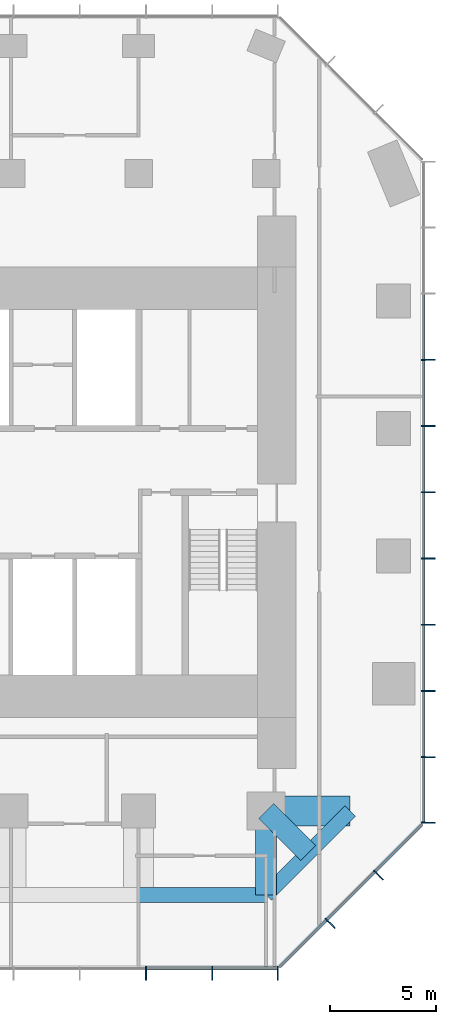
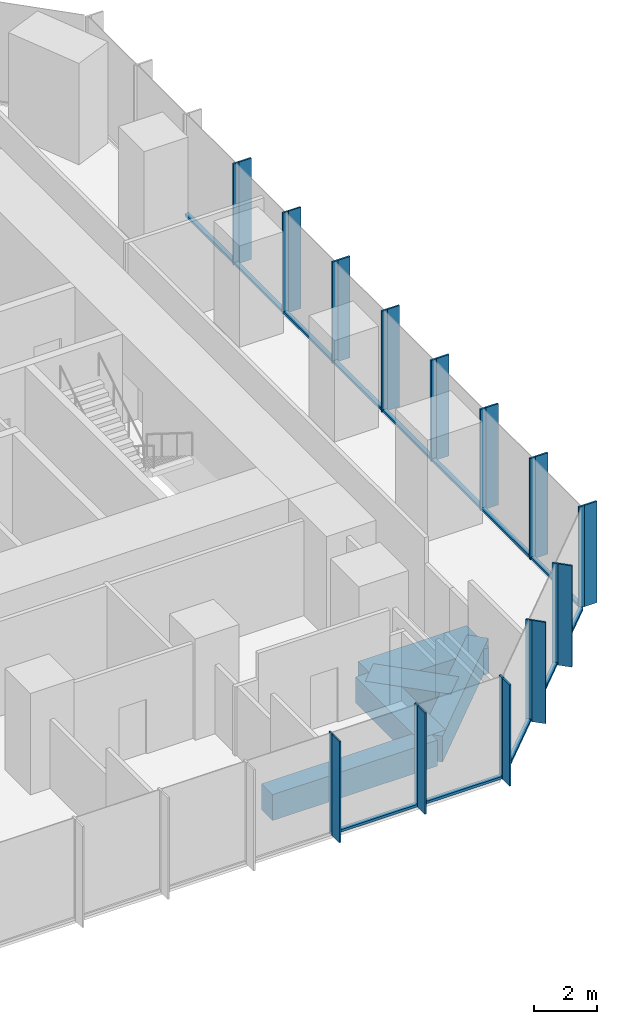
# One storey, part 4 of 12: 39 members, 5 beams, 3 elements without a shape of their own.
"""IFC4 building model written with IfcOpenShell, lengths in metres."""

from ifc_helpers import new_model, si_unit, direction, frame, origin, origin_2d, place, context, subcontext, project, spatial, rectangle, extrude, material, layer, layer_set, material_profile, profile_set, type_object, element, aggregate, save


model = new_model("IFC4")

# Units and contexts
model_context = context("Model", 3, precision=1e-05, world=origin(), true_north=direction((0.0, 1.0)))
body_context = subcontext(model_context, "Body", "Model", "MODEL_VIEW")
ifc_project = project(units=[si_unit("LENGTHUNIT", "METRE"), si_unit("AREAUNIT", "SQUARE_METRE"), si_unit("VOLUMEUNIT", "CUBIC_METRE"), si_unit("PLANEANGLEUNIT", "RADIAN"), si_unit("MASSUNIT", "GRAM", prefix="KILO")], contexts=[model_context])

# Site, building, storey
site_placement = place(None, origin())
site = spatial("IfcSite", under=ifc_project, at=site_placement, CompositionType="ELEMENT")
building_placement = place(site_placement, origin())
building = spatial("IfcBuilding", under=site, at=building_placement, Name="Highveld Stack Headquarters", CompositionType="ELEMENT")
storey_placement = place(building_placement, frame((0.0, 0.0, 231.800048828125)))
storey = spatial("IfcBuildingStorey", under=building, at=storey_placement, Name="L57", CompositionType="ELEMENT", Elevation=231.800048828125)

# Beams
ifc_material_1 = material(Name="Concrete C60/75", Category="concrete")
ifc_material_profile_1 = material_profile(ifc_material_1, rectangle(XDim=1.0, YDim=1.0, at=origin_2d()), Name="RC 1000x1000")
ifc_profile_set_1 = profile_set([ifc_material_profile_1], Name="Concrete C60/75")
beam_type_1 = type_object("IfcBeamType", Name="CANTILEVER RIB RC 1000x1000", PredefinedType="USERDEFINED", material=ifc_profile_set_1)
beam_1_placement = place(storey_placement, frame((18.0, -12.0, -0.75), z_axis=(0.0, -1.0, 0.0), x_axis=(1.0, 0.0, 0.0)))
element("IfcBeam", 1, at=beam_1_placement, inside=storey, type_object=beam_type_1, Name="Cantilever rib 9/C L57", ObjectType="CANTILEVER RIB", PredefinedType="USERDEFINED", context=body_context, shape_type="SweptSolid", body=[
    extrude(rectangle(XDim=1.0, YDim=1.0, at=origin_2d()), origin(), (0.0, 0.0, 1.0), 3.949951171875),
])
beam_2_placement = place(storey_placement, frame((18.0, -12.0, -0.75), z_axis=(0.707106781187, -0.707106781187, 0.0), x_axis=(0.707106781187, 0.707106781187, 0.0)))
element("IfcBeam", 2, at=beam_2_placement, inside=storey, type_object=beam_type_1, Name="Cantilever rib 9/C L57", ObjectType="CANTILEVER RIB", PredefinedType="USERDEFINED", context=body_context, shape_type="SweptSolid", body=[
    extrude(rectangle(XDim=1.0, YDim=1.0, at=origin_2d()), origin(), (0.0, 0.0, 1.0), 2.793212890625),
])
ifc_material_2 = material(Name="Concrete C60/75", Category="concrete")
ifc_material_profile_2 = material_profile(ifc_material_2, rectangle(XDim=1.39990234375, YDim=1.0, at=origin_2d()), Name="RC 1400x1000")
ifc_profile_set_2 = profile_set([ifc_material_profile_2], Name="Concrete C60/75")
beam_type_2 = type_object("IfcBeamType", Name="CANTILEVER RIB RC 1400x1000", PredefinedType="USERDEFINED", material=ifc_profile_set_2)
beam_3_placement = place(storey_placement, frame((18.0, -12.0, -0.75), z_axis=(1.0, 0.0, 0.0), x_axis=(0.0, 1.0, 0.0)))
element("IfcBeam", 3, at=beam_3_placement, inside=storey, type_object=beam_type_2, Name="Cantilever rib 9/C L57", ObjectType="CANTILEVER RIB", PredefinedType="USERDEFINED", context=body_context, shape_type="SweptSolid", body=[
    extrude(rectangle(XDim=1.39990234375, YDim=1.0, at=origin_2d()), origin(), (0.0, 0.0, 1.0), 3.949951171875),
])

# Curtain wall, members
ifc_material_3 = material(Name="Aluminium bronze anodised", Category="aluminium")
ifc_layer_1 = layer(ifc_material_3, 0.199951171875)
ifc_layer_set_1 = layer_set([ifc_layer_1], Name="Aluminium bronze anodised")
curtain_wall_type_1 = type_object("IfcCurtainWallType", Name="CW1 TOWER UNITISED CURTAIN WALL", PredefinedType="NOTDEFINED", material=ifc_layer_set_1)
curtain_wall_1_placement = place(storey_placement, origin())
curtain_wall_1 = element("IfcCurtainWall", 4, at=curtain_wall_1_placement, inside=storey, type_object=curtain_wall_type_1, Name="Curtain wall CW1 L57 S", PredefinedType="NOTDEFINED")
ifc_material_4 = material(Name="Aluminium bronze anodised", Category="aluminium")
ifc_material_profile_3 = material_profile(ifc_material_4, rectangle(XDim=0.449951171875, YDim=0.06005859375, at=origin_2d()), Name="FIN 450x60")
ifc_profile_set_3 = profile_set([ifc_material_profile_3], Name="Aluminium bronze anodised")
member_type_1 = type_object("IfcMemberType", Name="CW1 BRONZE FIN 450x60", PredefinedType="USERDEFINED", material=ifc_profile_set_3)
member_1_placement = place(storey_placement, frame((12.347900390625, -19.72509765625, 0.0), z_axis=(0.0, 0.0, 1.0), x_axis=(0.0, 1.0, 0.0)))
member_1 = element("IfcMember", 5, at=member_1_placement, type_object=member_type_1, Name="CW1 fin L57 9", ObjectType="FIN", PredefinedType="USERDEFINED", context=body_context, shape_type="SweptSolid", body=[
    extrude(rectangle(XDim=0.449951171875, YDim=0.06005859375, at=origin_2d()), origin(), (0.0, 0.0, 1.0), 3.89990234375),
])
member_2_placement = place(storey_placement, frame((15.4638671875, -19.72509765625, 0.0), z_axis=(0.0, 0.0, 1.0), x_axis=(0.0, 1.0, 0.0)))
member_2 = element("IfcMember", 6, at=member_2_placement, type_object=member_type_1, Name="CW1 fin L57 10", ObjectType="FIN", PredefinedType="USERDEFINED", context=body_context, shape_type="SweptSolid", body=[
    extrude(rectangle(XDim=0.449951171875, YDim=0.06005859375, at=origin_2d()), origin(), (0.0, 0.0, 1.0), 3.89990234375),
])
member_3_placement = place(storey_placement, frame((18.54736328125, -19.72509765625, 0.0), z_axis=(0.0, 0.0, 1.0), x_axis=(0.0, 1.0, 0.0)))
member_3 = element("IfcMember", 7, at=member_3_placement, type_object=member_type_1, Name="CW1 fin L57 11", ObjectType="FIN", PredefinedType="USERDEFINED", context=body_context, shape_type="SweptSolid", body=[
    extrude(rectangle(XDim=0.449951171875, YDim=0.06005859375, at=origin_2d()), origin(), (0.0, 0.0, 1.0), 3.89990234375),
])

curtain_wall_2_placement = place(storey_placement, origin())
curtain_wall_2 = element("IfcCurtainWall", 8, at=curtain_wall_2_placement, inside=storey, type_object=curtain_wall_type_1, Name="Curtain wall CW1 L57 E", PredefinedType="NOTDEFINED")
member_4_placement = place(storey_placement, frame((25.72509765625, -12.54736328125, 0.0), z_axis=(0.0, 0.0, 1.0), x_axis=(-1.0, 0.0, 0.0)))
member_4 = element("IfcMember", 9, at=member_4_placement, type_object=member_type_1, Name="CW1 fin L57 1", ObjectType="FIN", PredefinedType="USERDEFINED", context=body_context, shape_type="SweptSolid", body=[
    extrude(rectangle(XDim=0.449951171875, YDim=0.06005859375, at=origin_2d()), origin(), (0.0, 0.0, 1.0), 3.89990234375),
])
member_5_placement = place(storey_placement, frame((25.72509765625, -9.4638671875, 0.0), z_axis=(0.0, 0.0, 1.0), x_axis=(-1.0, 0.0, 0.0)))
member_5 = element("IfcMember", 10, at=member_5_placement, type_object=member_type_1, Name="CW1 fin L57 2", ObjectType="FIN", PredefinedType="USERDEFINED", context=body_context, shape_type="SweptSolid", body=[
    extrude(rectangle(XDim=0.449951171875, YDim=0.06005859375, at=origin_2d()), origin(), (0.0, 0.0, 1.0), 3.89990234375),
])
member_6_placement = place(storey_placement, frame((25.72509765625, -6.347900390625, 0.0), z_axis=(0.0, 0.0, 1.0), x_axis=(-1.0, 0.0, 0.0)))
member_6 = element("IfcMember", 11, at=member_6_placement, type_object=member_type_1, Name="CW1 fin L57 3", ObjectType="FIN", PredefinedType="USERDEFINED", context=body_context, shape_type="SweptSolid", body=[
    extrude(rectangle(XDim=0.449951171875, YDim=0.06005859375, at=origin_2d()), origin(), (0.0, 0.0, 1.0), 3.89990234375),
])
member_7_placement = place(storey_placement, frame((25.72509765625, -3.23193359375, 0.0), z_axis=(0.0, 0.0, 1.0), x_axis=(-1.0, 0.0, 0.0)))
member_7 = element("IfcMember", 12, at=member_7_placement, type_object=member_type_1, Name="CW1 fin L57 4", ObjectType="FIN", PredefinedType="USERDEFINED", context=body_context, shape_type="SweptSolid", body=[
    extrude(rectangle(XDim=0.449951171875, YDim=0.06005859375, at=origin_2d()), origin(), (0.0, 0.0, 1.0), 3.89990234375),
])
member_8_placement = place(storey_placement, frame((25.72509765625, -0.115966796875, 0.0), z_axis=(0.0, 0.0, 1.0), x_axis=(-1.0, 0.0, 0.0)))
member_8 = element("IfcMember", 13, at=member_8_placement, type_object=member_type_1, Name="CW1 fin L57 5", ObjectType="FIN", PredefinedType="USERDEFINED", context=body_context, shape_type="SweptSolid", body=[
    extrude(rectangle(XDim=0.449951171875, YDim=0.06005859375, at=origin_2d()), origin(), (0.0, 0.0, 1.0), 3.89990234375),
])
member_9_placement = place(storey_placement, frame((25.72509765625, 3.0, 0.0), z_axis=(0.0, 0.0, 1.0), x_axis=(-1.0, 0.0, 0.0)))
member_9 = element("IfcMember", 14, at=member_9_placement, type_object=member_type_1, Name="CW1 fin L57 6", ObjectType="FIN", PredefinedType="USERDEFINED", context=body_context, shape_type="SweptSolid", body=[
    extrude(rectangle(XDim=0.449951171875, YDim=0.06005859375, at=origin_2d()), origin(), (0.0, 0.0, 1.0), 3.89990234375),
])
member_10_placement = place(storey_placement, frame((25.72509765625, 6.115966796875, 0.0), z_axis=(0.0, 0.0, 1.0), x_axis=(-1.0, 0.0, 0.0)))
member_10 = element("IfcMember", 15, at=member_10_placement, type_object=member_type_1, Name="CW1 fin L57 7", ObjectType="FIN", PredefinedType="USERDEFINED", context=body_context, shape_type="SweptSolid", body=[
    extrude(rectangle(XDim=0.449951171875, YDim=0.06005859375, at=origin_2d()), origin(), (0.0, 0.0, 1.0), 3.89990234375),
])
member_11_placement = place(storey_placement, frame((25.72509765625, 9.23193359375, 0.0), z_axis=(0.0, 0.0, 1.0), x_axis=(-1.0, 0.0, 0.0)))
member_11 = element("IfcMember", 16, at=member_11_placement, type_object=member_type_1, Name="CW1 fin L57 8", ObjectType="FIN", PredefinedType="USERDEFINED", context=body_context, shape_type="SweptSolid", body=[
    extrude(rectangle(XDim=0.449951171875, YDim=0.06005859375, at=origin_2d()), origin(), (0.0, 0.0, 1.0), 3.89990234375),
])

# Member
ifc_material_5 = material(Name="Aluminium bronze anodised", Category="aluminium")
ifc_material_profile_4 = material_profile(ifc_material_5, rectangle(XDim=0.199951171875, YDim=0.06494140625, at=origin_2d()), Name="CW1 MULLION 65x200")
ifc_profile_set_4 = profile_set([ifc_material_profile_4], Name="Aluminium bronze anodised")
member_type_2 = type_object("IfcMemberType", Name="CW1 MULLION 65x200", PredefinedType="MULLION", material=ifc_profile_set_4)
member_12_placement = place(storey_placement, frame((12.347900390625, -19.39990234375, 0.0), z_axis=(0.0, 0.0, 1.0), x_axis=(0.0, 1.0, 0.0)))
member_12 = element("IfcMember", 17, at=member_12_placement, type_object=member_type_2, Name="CW1 mullion L57 9", PredefinedType="MULLION", context=body_context, shape_type="SweptSolid", body=[
    extrude(rectangle(XDim=0.199951171875, YDim=0.06494140625, at=origin_2d()), origin(), (0.0, 0.0, 1.0), 3.89990234375),
])

member_13_placement = place(storey_placement, frame((15.4638671875, -19.39990234375, 0.0), z_axis=(0.0, 0.0, 1.0), x_axis=(0.0, 1.0, 0.0)))
member_13 = element("IfcMember", 18, at=member_13_placement, type_object=member_type_2, Name="CW1 mullion L57 10", PredefinedType="MULLION", context=body_context, shape_type="SweptSolid", body=[
    extrude(rectangle(XDim=0.199951171875, YDim=0.06494140625, at=origin_2d()), origin(), (0.0, 0.0, 1.0), 3.89990234375),
])

member_14_placement = place(storey_placement, frame((18.54736328125, -19.39990234375, 0.0), z_axis=(0.0, 0.0, 1.0), x_axis=(0.0, 1.0, 0.0)))
member_14 = element("IfcMember", 19, at=member_14_placement, type_object=member_type_2, Name="CW1 mullion L57 11", PredefinedType="MULLION", context=body_context, shape_type="SweptSolid", body=[
    extrude(rectangle(XDim=0.199951171875, YDim=0.06494140625, at=origin_2d()), origin(), (0.0, 0.0, 1.0), 3.89990234375),
])

member_15_placement = place(storey_placement, frame((25.39990234375, -12.54736328125, 0.0), z_axis=(0.0, 0.0, 1.0), x_axis=(-1.0, 0.0, 0.0)))
member_15 = element("IfcMember", 20, at=member_15_placement, type_object=member_type_2, Name="CW1 mullion L57 1", PredefinedType="MULLION", context=body_context, shape_type="SweptSolid", body=[
    extrude(rectangle(XDim=0.199951171875, YDim=0.06494140625, at=origin_2d()), origin(), (0.0, 0.0, 1.0), 3.89990234375),
])

member_16_placement = place(storey_placement, frame((25.39990234375, -9.4638671875, 0.0), z_axis=(0.0, 0.0, 1.0), x_axis=(-1.0, 0.0, 0.0)))
member_16 = element("IfcMember", 21, at=member_16_placement, type_object=member_type_2, Name="CW1 mullion L57 2", PredefinedType="MULLION", context=body_context, shape_type="SweptSolid", body=[
    extrude(rectangle(XDim=0.199951171875, YDim=0.06494140625, at=origin_2d()), origin(), (0.0, 0.0, 1.0), 3.89990234375),
])

member_17_placement = place(storey_placement, frame((25.39990234375, -6.347900390625, 0.0), z_axis=(0.0, 0.0, 1.0), x_axis=(-1.0, 0.0, 0.0)))
member_17 = element("IfcMember", 22, at=member_17_placement, type_object=member_type_2, Name="CW1 mullion L57 3", PredefinedType="MULLION", context=body_context, shape_type="SweptSolid", body=[
    extrude(rectangle(XDim=0.199951171875, YDim=0.06494140625, at=origin_2d()), origin(), (0.0, 0.0, 1.0), 3.89990234375),
])

member_18_placement = place(storey_placement, frame((25.39990234375, -3.23193359375, 0.0), z_axis=(0.0, 0.0, 1.0), x_axis=(-1.0, 0.0, 0.0)))
member_18 = element("IfcMember", 23, at=member_18_placement, type_object=member_type_2, Name="CW1 mullion L57 4", PredefinedType="MULLION", context=body_context, shape_type="SweptSolid", body=[
    extrude(rectangle(XDim=0.199951171875, YDim=0.06494140625, at=origin_2d()), origin(), (0.0, 0.0, 1.0), 3.89990234375),
])

member_19_placement = place(storey_placement, frame((25.39990234375, -0.115966796875, 0.0), z_axis=(0.0, 0.0, 1.0), x_axis=(-1.0, 0.0, 0.0)))
member_19 = element("IfcMember", 24, at=member_19_placement, type_object=member_type_2, Name="CW1 mullion L57 5", PredefinedType="MULLION", context=body_context, shape_type="SweptSolid", body=[
    extrude(rectangle(XDim=0.199951171875, YDim=0.06494140625, at=origin_2d()), origin(), (0.0, 0.0, 1.0), 3.89990234375),
])

member_20_placement = place(storey_placement, frame((25.39990234375, 3.0, 0.0), z_axis=(0.0, 0.0, 1.0), x_axis=(-1.0, 0.0, 0.0)))
member_20 = element("IfcMember", 25, at=member_20_placement, type_object=member_type_2, Name="CW1 mullion L57 6", PredefinedType="MULLION", context=body_context, shape_type="SweptSolid", body=[
    extrude(rectangle(XDim=0.199951171875, YDim=0.06494140625, at=origin_2d()), origin(), (0.0, 0.0, 1.0), 3.89990234375),
])

member_21_placement = place(storey_placement, frame((25.39990234375, 6.115966796875, 0.0), z_axis=(0.0, 0.0, 1.0), x_axis=(-1.0, 0.0, 0.0)))
member_21 = element("IfcMember", 26, at=member_21_placement, type_object=member_type_2, Name="CW1 mullion L57 7", PredefinedType="MULLION", context=body_context, shape_type="SweptSolid", body=[
    extrude(rectangle(XDim=0.199951171875, YDim=0.06494140625, at=origin_2d()), origin(), (0.0, 0.0, 1.0), 3.89990234375),
])

member_22_placement = place(storey_placement, frame((25.39990234375, 9.23193359375, 0.0), z_axis=(0.0, 0.0, 1.0), x_axis=(-1.0, 0.0, 0.0)))
member_22 = element("IfcMember", 27, at=member_22_placement, type_object=member_type_2, Name="CW1 mullion L57 8", PredefinedType="MULLION", context=body_context, shape_type="SweptSolid", body=[
    extrude(rectangle(XDim=0.199951171875, YDim=0.06494140625, at=origin_2d()), origin(), (0.0, 0.0, 1.0), 3.89990234375),
])

ifc_material_6 = material(Name="Aluminium bronze anodised", Category="aluminium")
ifc_material_profile_5 = material_profile(ifc_material_6, rectangle(XDim=0.14990234375, YDim=0.10009765625, at=origin_2d()), Name="CW1 TRANSOM 150x100")
ifc_profile_set_5 = profile_set([ifc_material_profile_5], Name="Aluminium bronze anodised")
member_type_3 = type_object("IfcMemberType", Name="CW1 STACK TRANSOM 150x100", PredefinedType="USERDEFINED", material=ifc_profile_set_5)
member_23_placement = place(storey_placement, frame((12.38037109375, -19.39990234375, 0.050048828125), z_axis=(1.0, 0.0, 0.0), x_axis=(0.0, 1.0, 0.0)))
member_23 = element("IfcMember", 28, at=member_23_placement, type_object=member_type_3, Name="CW1 transom L57 9.1", ObjectType="TRANSOM", PredefinedType="USERDEFINED", context=body_context, shape_type="SweptSolid", body=[
    extrude(rectangle(XDim=0.14990234375, YDim=0.10009765625, at=origin_2d()), origin(), (0.0, 0.0, 1.0), 3.051025390625),
])

member_24_placement = place(storey_placement, frame((15.496337890625, -19.39990234375, 0.050048828125), z_axis=(1.0, 0.0, 0.0), x_axis=(0.0, 1.0, 0.0)))
member_24 = element("IfcMember", 29, at=member_24_placement, type_object=member_type_3, Name="CW1 transom L57 10.1", ObjectType="TRANSOM", PredefinedType="USERDEFINED", context=body_context, shape_type="SweptSolid", body=[
    extrude(rectangle(XDim=0.14990234375, YDim=0.10009765625, at=origin_2d()), origin(), (0.0, 0.0, 1.0), 3.0185546875),
])

aggregate(curtain_wall_1, [member_12, member_1, member_13, member_2, member_14, member_3, member_23, member_24])

member_25_placement = place(storey_placement, frame((25.39990234375, -12.514892578125, 0.050048828125), z_axis=(0.0, 1.0, 0.0), x_axis=(-1.0, 0.0, 0.0)))
member_25 = element("IfcMember", 30, at=member_25_placement, type_object=member_type_3, Name="CW1 transom L57 1.1", ObjectType="TRANSOM", PredefinedType="USERDEFINED", context=body_context, shape_type="SweptSolid", body=[
    extrude(rectangle(XDim=0.14990234375, YDim=0.10009765625, at=origin_2d()), origin(), (0.0, 0.0, 1.0), 3.0185546875),
])

member_26_placement = place(storey_placement, frame((25.39990234375, -9.431396484375, 0.050048828125), z_axis=(0.0, 1.0, 0.0), x_axis=(-1.0, 0.0, 0.0)))
member_26 = element("IfcMember", 31, at=member_26_placement, type_object=member_type_3, Name="CW1 transom L57 2.1", ObjectType="TRANSOM", PredefinedType="USERDEFINED", context=body_context, shape_type="SweptSolid", body=[
    extrude(rectangle(XDim=0.14990234375, YDim=0.10009765625, at=origin_2d()), origin(), (0.0, 0.0, 1.0), 3.051025390625),
])

member_27_placement = place(storey_placement, frame((25.39990234375, -6.3154296875, 0.050048828125), z_axis=(0.0, 1.0, 0.0), x_axis=(-1.0, 0.0, 0.0)))
member_27 = element("IfcMember", 32, at=member_27_placement, type_object=member_type_3, Name="CW1 transom L57 3.1", ObjectType="TRANSOM", PredefinedType="USERDEFINED", context=body_context, shape_type="SweptSolid", body=[
    extrude(rectangle(XDim=0.14990234375, YDim=0.10009765625, at=origin_2d()), origin(), (0.0, 0.0, 1.0), 3.051025390625),
])

member_28_placement = place(storey_placement, frame((25.39990234375, -3.199462890625, 0.050048828125), z_axis=(0.0, 1.0, 0.0), x_axis=(-1.0, 0.0, 0.0)))
member_28 = element("IfcMember", 33, at=member_28_placement, type_object=member_type_3, Name="CW1 transom L57 4.1", ObjectType="TRANSOM", PredefinedType="USERDEFINED", context=body_context, shape_type="SweptSolid", body=[
    extrude(rectangle(XDim=0.14990234375, YDim=0.10009765625, at=origin_2d()), origin(), (0.0, 0.0, 1.0), 3.051025390625),
])

member_29_placement = place(storey_placement, frame((25.39990234375, -0.08349609375, 0.050048828125), z_axis=(0.0, 1.0, 0.0), x_axis=(-1.0, 0.0, 0.0)))
member_29 = element("IfcMember", 34, at=member_29_placement, type_object=member_type_3, Name="CW1 transom L57 5.1", ObjectType="TRANSOM", PredefinedType="USERDEFINED", context=body_context, shape_type="SweptSolid", body=[
    extrude(rectangle(XDim=0.14990234375, YDim=0.10009765625, at=origin_2d()), origin(), (0.0, 0.0, 1.0), 3.051025390625),
])

member_30_placement = place(storey_placement, frame((25.39990234375, 3.032470703125, 0.050048828125), z_axis=(0.0, 1.0, 0.0), x_axis=(-1.0, 0.0, 0.0)))
member_30 = element("IfcMember", 35, at=member_30_placement, type_object=member_type_3, Name="CW1 transom L57 6.1", ObjectType="TRANSOM", PredefinedType="USERDEFINED", context=body_context, shape_type="SweptSolid", body=[
    extrude(rectangle(XDim=0.14990234375, YDim=0.10009765625, at=origin_2d()), origin(), (0.0, 0.0, 1.0), 3.051025390625),
])

member_31_placement = place(storey_placement, frame((25.39990234375, 6.1484375, 0.050048828125), z_axis=(0.0, 1.0, 0.0), x_axis=(-1.0, 0.0, 0.0)))
member_31 = element("IfcMember", 36, at=member_31_placement, type_object=member_type_3, Name="CW1 transom L57 7.1", ObjectType="TRANSOM", PredefinedType="USERDEFINED", context=body_context, shape_type="SweptSolid", body=[
    extrude(rectangle(XDim=0.14990234375, YDim=0.10009765625, at=origin_2d()), origin(), (0.0, 0.0, 1.0), 3.051025390625),
])

member_32_placement = place(storey_placement, frame((25.39990234375, 9.264404296875, 0.050048828125), z_axis=(0.0, 1.0, 0.0), x_axis=(-1.0, 0.0, 0.0)))
member_32 = element("IfcMember", 37, at=member_32_placement, type_object=member_type_3, Name="CW1 transom L57 8.1", ObjectType="TRANSOM", PredefinedType="USERDEFINED", context=body_context, shape_type="SweptSolid", body=[
    extrude(rectangle(XDim=0.14990234375, YDim=0.10009765625, at=origin_2d()), origin(), (0.0, 0.0, 1.0), 3.051025390625),
])

aggregate(curtain_wall_2, [member_15, member_4, member_16, member_5, member_17, member_6, member_18, member_7, member_19, member_8, member_20, member_9, member_21, member_10, member_22, member_11, member_25, member_26, member_27, member_28, member_29, member_30, member_31, member_32])

# Curtain wall, members
ifc_material_7 = material(Name="Aluminium bronze anodised", Category="aluminium")
ifc_layer_2 = layer(ifc_material_7, 0.199951171875)
ifc_layer_set_2 = layer_set([ifc_layer_2], Name="Aluminium bronze anodised")
curtain_wall_type_2 = type_object("IfcCurtainWallType", Name="CW2 TOWER CHAMFER UNITISED CURTAIN WALL", PredefinedType="NOTDEFINED", material=ifc_layer_set_2)
curtain_wall_3_placement = place(storey_placement, origin())
curtain_wall_3 = element("IfcCurtainWall", 38, at=curtain_wall_3_placement, inside=storey, type_object=curtain_wall_type_2, Name="Curtain wall CW2 L57 SE", PredefinedType="NOTDEFINED")
ifc_material_8 = material(Name="Aluminium bronze anodised", Category="aluminium")
ifc_material_profile_6 = material_profile(ifc_material_8, rectangle(XDim=0.449951171875, YDim=0.06005859375, at=origin_2d()), Name="FIN 450x60")
ifc_profile_set_6 = profile_set([ifc_material_profile_6], Name="Aluminium bronze anodised")
member_type_4 = type_object("IfcMemberType", Name="CW2 BRONZE FIN 450x60", PredefinedType="USERDEFINED", material=ifc_profile_set_6)
member_33_placement = place(storey_placement, frame((21.0830078125, -17.3564453125, 0.0), z_axis=(0.0, 0.0, 1.0), x_axis=(-0.707106781187, 0.707106781187, 0.0)))
member_33 = element("IfcMember", 39, at=member_33_placement, type_object=member_type_4, Name="CW2 fin L57 1", ObjectType="FIN", PredefinedType="USERDEFINED", context=body_context, shape_type="SweptSolid", body=[
    extrude(rectangle(XDim=0.449951171875, YDim=0.06005859375, at=origin_2d()), origin(), (0.0, 0.0, 1.0), 3.89990234375),
])
member_34_placement = place(storey_placement, frame((23.3564453125, -15.0830078125, 0.0), z_axis=(0.0, 0.0, 1.0), x_axis=(-0.707106781187, 0.707106781187, 0.0)))
member_34 = element("IfcMember", 40, at=member_34_placement, type_object=member_type_4, Name="CW2 fin L57 2", ObjectType="FIN", PredefinedType="USERDEFINED", context=body_context, shape_type="SweptSolid", body=[
    extrude(rectangle(XDim=0.449951171875, YDim=0.06005859375, at=origin_2d()), origin(), (0.0, 0.0, 1.0), 3.89990234375),
])
ifc_material_9 = material(Name="Aluminium bronze anodised", Category="aluminium")
ifc_material_profile_7 = material_profile(ifc_material_9, rectangle(XDim=0.199951171875, YDim=0.06494140625, at=origin_2d()), Name="CW2 MULLION 65x200")
ifc_profile_set_7 = profile_set([ifc_material_profile_7], Name="Aluminium bronze anodised")
member_type_5 = type_object("IfcMemberType", Name="CW2 MULLION 65x200", PredefinedType="MULLION", material=ifc_profile_set_7)
member_35_placement = place(storey_placement, frame((20.853271484375, -17.126708984375, 0.0), z_axis=(0.0, 0.0, 1.0), x_axis=(-0.707106781187, 0.707106781187, 0.0)))
member_35 = element("IfcMember", 41, at=member_35_placement, type_object=member_type_5, Name="CW2 mullion L57 1", PredefinedType="MULLION", context=body_context, shape_type="SweptSolid", body=[
    extrude(rectangle(XDim=0.199951171875, YDim=0.06494140625, at=origin_2d()), origin(), (0.0, 0.0, 1.0), 3.89990234375),
])
member_36_placement = place(storey_placement, frame((23.126708984375, -14.853271484375, 0.0), z_axis=(0.0, 0.0, 1.0), x_axis=(-0.707106781187, 0.707106781187, 0.0)))
member_36 = element("IfcMember", 42, at=member_36_placement, type_object=member_type_5, Name="CW2 mullion L57 2", PredefinedType="MULLION", context=body_context, shape_type="SweptSolid", body=[
    extrude(rectangle(XDim=0.199951171875, YDim=0.06494140625, at=origin_2d()), origin(), (0.0, 0.0, 1.0), 3.89990234375),
])
ifc_material_10 = material(Name="Aluminium bronze anodised", Category="aluminium")
ifc_material_profile_8 = material_profile(ifc_material_10, rectangle(XDim=0.14990234375, YDim=0.10009765625, at=origin_2d()), Name="CW2 TRANSOM 150x100")
ifc_profile_set_8 = profile_set([ifc_material_profile_8], Name="Aluminium bronze anodised")
member_type_6 = type_object("IfcMemberType", Name="CW2 STACK TRANSOM 150x100", PredefinedType="USERDEFINED", material=ifc_profile_set_8)
member_37_placement = place(storey_placement, frame((18.650634765625, -19.329345703125, 0.050048828125), z_axis=(0.707106781187, 0.707106781187, 0.0), x_axis=(-0.707106781187, 0.707106781187, 0.0)))
member_37 = element("IfcMember", 43, at=member_37_placement, type_object=member_type_6, Name="CW2 transom L57 1.1", ObjectType="TRANSOM", PredefinedType="USERDEFINED", context=body_context, shape_type="SweptSolid", body=[
    extrude(rectangle(XDim=0.14990234375, YDim=0.10009765625, at=origin_2d()), origin(), (0.0, 0.0, 1.0), 3.08251953125),
])
member_38_placement = place(storey_placement, frame((20.876220703125, -17.103759765625, 0.050048828125), z_axis=(0.707106781187, 0.707106781187, 0.0), x_axis=(-0.707106781187, 0.707106781187, 0.0)))
member_38 = element("IfcMember", 44, at=member_38_placement, type_object=member_type_6, Name="CW2 transom L57 2.1", ObjectType="TRANSOM", PredefinedType="USERDEFINED", context=body_context, shape_type="SweptSolid", body=[
    extrude(rectangle(XDim=0.14990234375, YDim=0.10009765625, at=origin_2d()), origin(), (0.0, 0.0, 1.0), 3.150146484375),
])
member_39_placement = place(storey_placement, frame((23.149658203125, -14.830322265625, 0.050048828125), z_axis=(0.707106781187, 0.707106781187, 0.0), x_axis=(-0.707106781187, 0.707106781187, 0.0)))
member_39 = element("IfcMember", 45, at=member_39_placement, type_object=member_type_6, Name="CW2 transom L57 3.1", ObjectType="TRANSOM", PredefinedType="USERDEFINED", context=body_context, shape_type="SweptSolid", body=[
    extrude(rectangle(XDim=0.14990234375, YDim=0.10009765625, at=origin_2d()), origin(), (0.0, 0.0, 1.0), 3.08251953125),
])
aggregate(curtain_wall_3, [member_35, member_33, member_36, member_34, member_37, member_38, member_39])

# Beams
ifc_material_11 = material(Name="Concrete C60/75", Category="concrete")
ifc_material_profile_9 = material_profile(ifc_material_11, rectangle(XDim=0.699951171875, YDim=1.0, at=origin_2d()), Name="RC 700x1000")
ifc_profile_set_9 = profile_set([ifc_material_profile_9], Name="Concrete C60/75")
beam_type_3 = type_object("IfcBeamType", Name="RIB TIP BEAM RC 700x1000", PredefinedType="SPANDREL", material=ifc_profile_set_9)
beam_4_placement = place(storey_placement, frame((12.0, -15.949951171875, -0.75), z_axis=(1.0, 0.0, 0.0), x_axis=(0.0, 1.0, 0.0)))
element("IfcBeam", 46, at=beam_4_placement, inside=storey, type_object=beam_type_3, Name="Rib tip beam 8/C to 9/C L57", PredefinedType="SPANDREL", context=body_context, shape_type="SweptSolid", body=[
    extrude(rectangle(XDim=0.699951171875, YDim=1.0, at=origin_2d()), origin(), (0.0, 0.0, 1.0), 6.0),
])
beam_5_placement = place(storey_placement, frame((21.949951171875, -12.0, -0.75), z_axis=(-0.707106781187, -0.707106781187, 0.0), x_axis=(0.707106781187, -0.707106781187, 0.0)))
element("IfcBeam", 47, at=beam_5_placement, inside=storey, type_object=beam_type_3, Name="Rib tip beam 9/C corner L57", PredefinedType="SPANDREL", context=body_context, shape_type="SweptSolid", body=[
    extrude(rectangle(XDim=0.699951171875, YDim=1.0, at=origin_2d()), origin(), (0.0, 0.0, 1.0), 5.586181640625),
])

save(model, "model.ifc")
